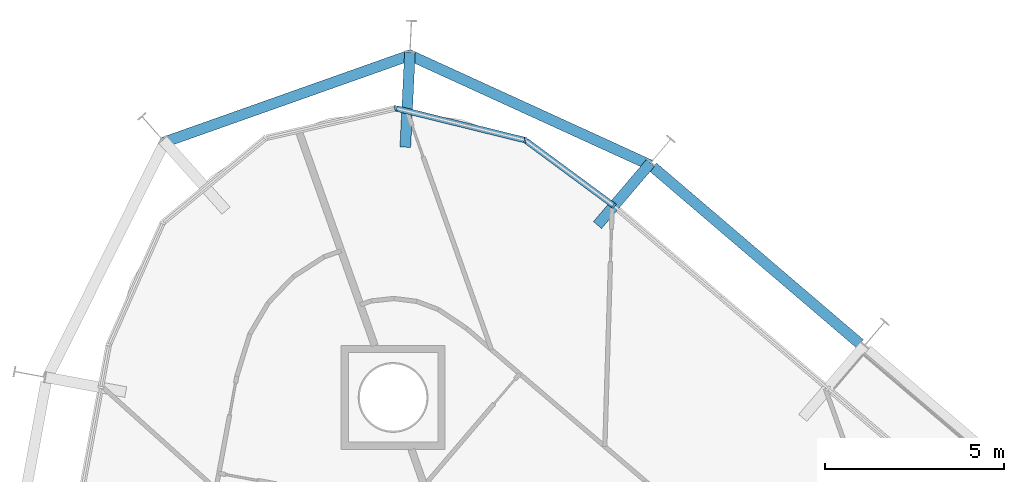
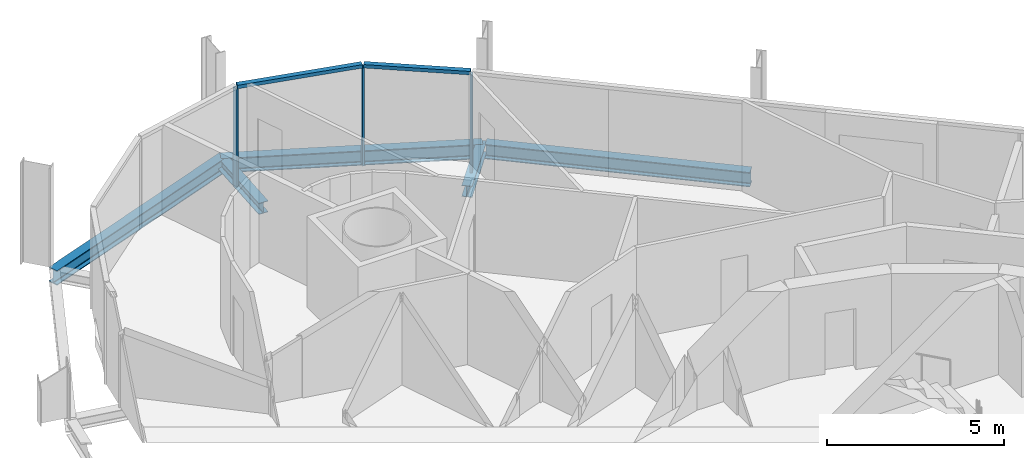
# One storey, part 7 of 17: 5 beams, 5 members, 1 element without a shape of its own.
"""IFC4 building model written with IfcOpenShell, lengths in metres."""

from ifc_helpers import new_model, si_unit, direction, frame, origin, origin_2d, place, context, subcontext, project, spatial, rectangle, i_section, extrude, material, layer, layer_set, material_profile, profile_set, type_object, element, aggregate, save


model = new_model("IFC4")

# Units and contexts
model_context = context("Model", 3, precision=1e-05, world=origin(), true_north=direction((0.0, 1.0)))
body_context = subcontext(model_context, "Body", "Model", "MODEL_VIEW")
ifc_project = project(units=[si_unit("LENGTHUNIT", "METRE"), si_unit("AREAUNIT", "SQUARE_METRE"), si_unit("VOLUMEUNIT", "CUBIC_METRE"), si_unit("PLANEANGLEUNIT", "RADIAN"), si_unit("MASSUNIT", "GRAM", prefix="KILO")], contexts=[model_context])

# Site, building, storey
site_placement = place(None, origin())
site = spatial("IfcSite", under=ifc_project, at=site_placement, CompositionType="ELEMENT")
building_placement = place(site_placement, origin())
building = spatial("IfcBuilding", under=site, at=building_placement, Name="Spindle Arch Residences", CompositionType="ELEMENT")
storey_placement = place(building_placement, frame((0.0, 0.0, 162.199951171875)))
storey = spatial("IfcBuildingStorey", under=building, at=storey_placement, Name="L40", CompositionType="ELEMENT", Elevation=162.199951171875)

# Curtain wall, members
ifc_material_1 = material(Name="Aluminium bronze unitised frame with tinted glass", Category="aluminium")
ifc_layer = layer(ifc_material_1, 0.159912109375)
ifc_layer_set = layer_set([ifc_layer], Name="CW-D corner wall on the fillet arcs")
curtain_wall_type = type_object("IfcCurtainWallType", Name="CW-D corner wall on the fillet arcs", PredefinedType="NOTDEFINED", material=ifc_layer_set)
curtain_wall_placement = place(storey_placement, origin())
curtain_wall = element("IfcCurtainWall", 1, at=curtain_wall_placement, inside=storey, type_object=curtain_wall_type, Name="CW-D L40 run 3", PredefinedType="NOTDEFINED")
ifc_material_2 = material(Name="Aluminium bronze anodised mullion", Category="aluminium")
ifc_material_profile_1 = material_profile(ifc_material_2, rectangle(XDim=0.159912109375, YDim=0.06005859375, at=origin_2d()), Name="MU 60x160")
ifc_profile_set_1 = profile_set([ifc_material_profile_1], Name="Aluminium bronze anodised mullion")
member_type_1 = type_object("IfcMemberType", Name="Bronze mullion 60x160", PredefinedType="MULLION", material=ifc_profile_set_1)
member_1_placement = place(storey_placement, frame((-0.86181640625, 25.213623046875, -0.3798828125), z_axis=(0.0, 0.0, 1.0), x_axis=(-0.594134492109, -0.804365716131, 0.0)))
member_1 = element("IfcMember", 2, at=member_1_placement, type_object=member_type_1, Name="CW-D mullion 00", PredefinedType="MULLION", context=body_context, shape_type="SweptSolid", body=[
    extrude(rectangle(XDim=0.159912109375, YDim=0.06005859375, at=origin_2d()), origin(), (0.0, 0.0, 1.0), 3.3798828125),
])
member_2_placement = place(storey_placement, frame((-3.3427734375, 27.046142578125, -0.3798828125), z_axis=(0.0, 0.0, 1.0), x_axis=(-0.239098401721, -0.970995342056, 0.0)))
member_2 = element("IfcMember", 3, at=member_2_placement, type_object=member_type_1, Name="CW-D mullion 01", PredefinedType="MULLION", context=body_context, shape_type="SweptSolid", body=[
    extrude(rectangle(XDim=0.159912109375, YDim=0.06005859375, at=origin_2d()), origin(), (0.0, 0.0, 1.0), 3.3798828125),
])
member_3_placement = place(storey_placement, frame((-6.96142578125, 27.937255859375, -0.3798828125), z_axis=(0.0, 0.0, 1.0), x_axis=(0.222115779633, -0.975020297449, 0.0)))
member_3 = element("IfcMember", 4, at=member_3_placement, type_object=member_type_1, Name="CW-D mullion 02", PredefinedType="MULLION", context=body_context, shape_type="SweptSolid", body=[
    extrude(rectangle(XDim=0.159912109375, YDim=0.06005859375, at=origin_2d()), origin(), (0.0, 0.0, 1.0), 3.3798828125),
])
ifc_material_3 = material(Name="Aluminium bronze anodised transom", Category="aluminium")
ifc_material_profile_2 = material_profile(ifc_material_3, rectangle(XDim=0.159912109375, YDim=0.1201171875, at=origin_2d()), Name="TR 120x160")
ifc_profile_set_2 = profile_set([ifc_material_profile_2], Name="Aluminium bronze anodised transom")
member_type_2 = type_object("IfcMemberType", Name="Bronze transom 120x160", PredefinedType="USERDEFINED", material=ifc_profile_set_2)
member_4_placement = place(storey_placement, frame((-0.8857421875, 25.2314453125, 3.06005859375), z_axis=(-0.804385788662, 0.594107316062, 0.0), x_axis=(-0.594107316062, -0.804385788662, 0.0)))
member_4 = element("IfcMember", 5, at=member_4_placement, type_object=member_type_2, Name="CW-D transom 00", ObjectType="TRANSOM", PredefinedType="USERDEFINED", context=body_context, shape_type="SweptSolid", body=[
    extrude(rectangle(XDim=0.159912109375, YDim=0.1201171875, at=origin_2d()), origin(), (0.0, 0.0, 1.0), 3.0244140625),
])
member_5_placement = place(storey_placement, frame((-3.371826171875, 27.053466796875, 3.06005859375), z_axis=(-0.970997997578, 0.239087617204, 0.0), x_axis=(-0.239087617204, -0.970997997578, 0.0)))
member_5 = element("IfcMember", 6, at=member_5_placement, type_object=member_type_2, Name="CW-D transom 01", ObjectType="TRANSOM", PredefinedType="USERDEFINED", context=body_context, shape_type="SweptSolid", body=[
    extrude(rectangle(XDim=0.159912109375, YDim=0.1201171875, at=origin_2d()), origin(), (0.0, 0.0, 1.0), 3.6669921875),
])
aggregate(curtain_wall, [member_1, member_4, member_2, member_5, member_3])

# Beams
ifc_material_4 = material(Name="Steel S460ML, intumescent coating R 120", Category="steel")
ifc_material_profile_3 = material_profile(ifc_material_4, i_section(OverallWidth=0.300048828125, OverallDepth=0.5, WebThickness=0.014404296875, FlangeThickness=0.028076171875, FilletRadius=0.027099609375, at=origin_2d()), Name="HEB 500")
ifc_profile_set_3 = profile_set([ifc_material_profile_3], Name="Steel S460ML, intumescent coating R 120")
beam_type_1 = type_object("IfcBeamType", Name="Exoskeleton edge beam HEB 500", PredefinedType="BEAM", material=ifc_profile_set_3)
beam_1_placement = place(storey_placement, frame((6.010009765625, 21.356689453125, -0.6298828125), z_axis=(-0.760418624565, 0.649433226294, 0.0), x_axis=(-0.649433226294, -0.760418624565, 0.0)))
element("IfcBeam", 7, at=beam_1_placement, inside=storey, type_object=beam_type_1, Name="Exoskeleton edge beam 9", PredefinedType="BEAM", context=body_context, shape_type="SweptSolid", body=[
    extrude(i_section(OverallWidth=0.300048828125, OverallDepth=0.5, WebThickness=0.014404296875, FlangeThickness=0.028076171875, FilletRadius=0.027099609375, at=origin_2d()), origin(), (0.0, 0.0, 1.0), 7.60009765625),
])
beam_2_placement = place(storey_placement, frame((0.151123046875, 26.34814453125, -0.6298828125), z_axis=(-0.909437531454, 0.415840566062, 0.0), x_axis=(-0.415840566062, -0.909437531454, 0.0)))
element("IfcBeam", 8, at=beam_2_placement, inside=storey, type_object=beam_type_1, Name="Exoskeleton edge beam 10", PredefinedType="BEAM", context=body_context, shape_type="SweptSolid", body=[
    extrude(i_section(OverallWidth=0.300048828125, OverallDepth=0.5, WebThickness=0.014404296875, FlangeThickness=0.028076171875, FilletRadius=0.027099609375, at=origin_2d()), origin(), (0.0, 0.0, 1.0), 7.42578125),
])
beam_3_placement = place(storey_placement, frame((-6.49853515625, 29.440185546875, -0.6298828125), z_axis=(-0.942642791069, -0.333803188189, 0.0), x_axis=(0.333803188189, -0.942642791069, 0.0)))
element("IfcBeam", 9, at=beam_3_placement, inside=storey, type_object=beam_type_1, Name="Exoskeleton edge beam 11", PredefinedType="BEAM", context=body_context, shape_type="SweptSolid", body=[
    extrude(i_section(OverallWidth=0.300048828125, OverallDepth=0.5, WebThickness=0.014404296875, FlangeThickness=0.028076171875, FilletRadius=0.027099609375, at=origin_2d()), origin(), (0.0, 0.0, 1.0), 7.403076171875),
])
ifc_material_5 = material(Name="Steel S460ML, intumescent coating R 120", Category="steel")
ifc_material_profile_4 = material_profile(ifc_material_5, i_section(OverallWidth=0.300048828125, OverallDepth=0.389892578125, WebThickness=0.010986328125, FlangeThickness=0.01904296875, FilletRadius=0.027099609375, at=origin_2d()), Name="HEA 400")
ifc_profile_set_4 = profile_set([ifc_material_profile_4], Name="Steel S460ML, intumescent coating R 120")
beam_type_2 = type_object("IfcBeamType", Name="Floor outrigger HEA 400", PredefinedType="BEAM", material=ifc_profile_set_4)
beam_4_placement = place(storey_placement, frame((0.157958984375, 26.407470703125, -0.574951171875), z_axis=(-0.649440691167, -0.76041224915, 0.0), x_axis=(0.76041224915, -0.649440691167, 0.0)))
element("IfcBeam", 10, at=beam_4_placement, inside=storey, type_object=beam_type_2, Name="Floor outrigger 10", PredefinedType="BEAM", context=body_context, shape_type="SweptSolid", body=[
    extrude(i_section(OverallWidth=0.300048828125, OverallDepth=0.389892578125, WebThickness=0.010986328125, FlangeThickness=0.01904296875, FilletRadius=0.027099609375, at=origin_2d()), origin(), (0.0, 0.0, 1.0), 2.279296875),
])
beam_5_placement = place(storey_placement, frame((-6.561279296875, 29.49609375, -0.574951171875), z_axis=(-0.048830159672, -0.998807096243, 0.0), x_axis=(0.998807096243, -0.048830159672, 0.0)))
element("IfcBeam", 11, at=beam_5_placement, inside=storey, type_object=beam_type_2, Name="Floor outrigger 11", PredefinedType="BEAM", context=body_context, shape_type="SweptSolid", body=[
    extrude(i_section(OverallWidth=0.300048828125, OverallDepth=0.389892578125, WebThickness=0.010986328125, FlangeThickness=0.01904296875, FilletRadius=0.027099609375, at=origin_2d()), origin(), (0.0, 0.0, 1.0), 2.64990234375),
])

save(model, "model.ifc")
